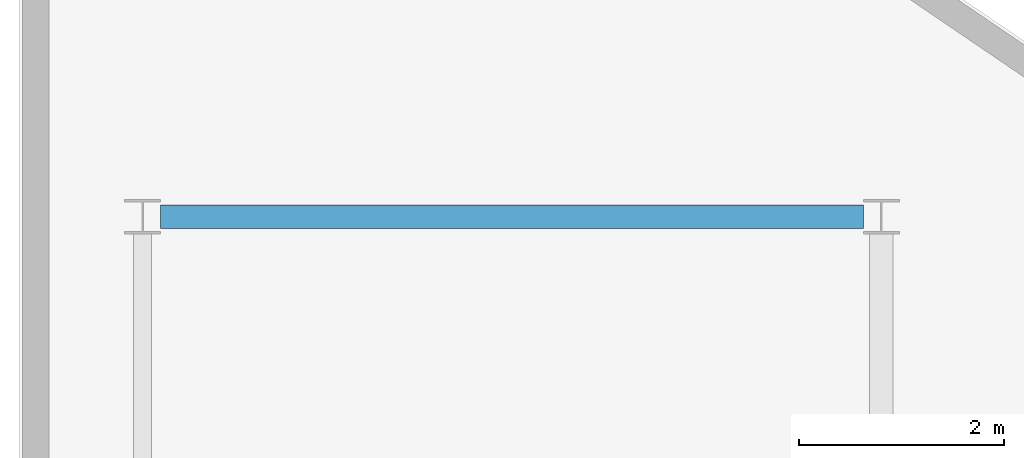
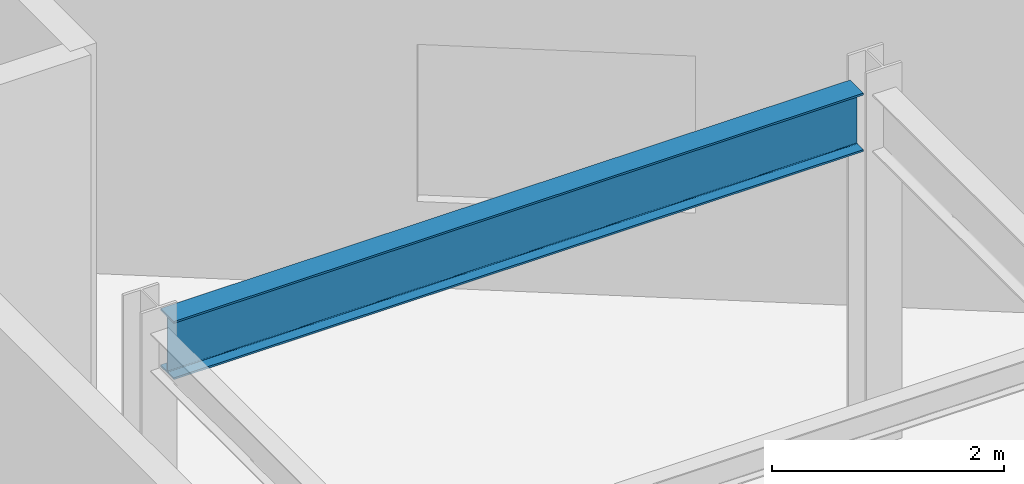
# One storey, part 10 of 20: 1 beam.
"""IFC4 building model written with IfcOpenShell, lengths in metres."""

import ifcopenshell
import ifcopenshell.guid

model = None  # the IFC model being written
_history = None  # IfcOwnerHistory: only IFC2X3 demands one
_inside = {}  # id of a spatial element -> (the spatial element, [elements in it])
_under = {}  # id of a project, library or spatial element -> (it, [spatial elements below it])
_declared = {}  # id of a project -> (the project, [libraries it declares])
_typed = {}  # id of a type object -> (the type object, [elements of that type])
_made_of = {}  # id of a material, layer set ... -> (it, [elements and type objects made of it])


def new_model(schema):
    """Start an empty IFC model of exactly this schema.

    Asked for "IFC4X3", IfcOpenShell would pick the latest addendum, in which some entities
    have other attributes; the version numbers below select the first issue.
    IFC2X3 requires an IfcOwnerHistory on every rooted entity: one is made here for all.
    """
    global model, _history
    if schema == "IFC4X3":
        model = ifcopenshell.file(schema_version=(4, 3, 0, 0))
    else:
        model = ifcopenshell.file(schema=schema)
    _inside.clear()
    _under.clear()
    _declared.clear()
    _typed.clear()
    _made_of.clear()
    _history = None
    if model.schema == "IFC2X3":
        org = make("IfcOrganization", Name="unknown")
        user = make(
            "IfcPersonAndOrganization",
            ThePerson=make("IfcPerson", FamilyName="unknown"),
            TheOrganization=org,
        )
        app = make(
            "IfcApplication",
            ApplicationDeveloper=org,
            Version="unknown",
            ApplicationFullName="unknown",
            ApplicationIdentifier="unknown",
        )
        _history = make(
            "IfcOwnerHistory",
            OwningUser=user,
            OwningApplication=app,
            ChangeAction="ADDED",
            CreationDate=0,
        )
    return model


def make(cls, **values):
    """One entity of the class cls with the attributes given. An attribute that is None is left unset."""
    return model.create_entity(
        cls, **{name: value for name, value in values.items() if value is not None}
    )


def rooted(cls, **values):
    """An entity with a GlobalId (a new one), such as an element, a storey or a relation."""
    return make(cls, GlobalId=ifcopenshell.guid.new(), OwnerHistory=_history, **values)


def si_unit(unit_type, name, prefix=None):
    """IfcSIUnit, for example si_unit("LENGTHUNIT", "METRE", prefix="MILLI")."""
    return make("IfcSIUnit", UnitType=unit_type, Prefix=prefix, Name=name)


def assignment(units):
    """IfcUnitAssignment: the units of a project."""
    return None if units is None else make("IfcUnitAssignment", Units=units)


def point(xyz):
    """IfcCartesianPoint."""
    return None if xyz is None else make("IfcCartesianPoint", Coordinates=xyz)


def direction(xyz):
    """IfcDirection."""
    return None if xyz is None else make("IfcDirection", DirectionRatios=xyz)


def frame(location, z_axis=None, x_axis=None):
    """IfcAxis2Placement3D, a coordinate frame: its origin and axes. An axis left out is left unset."""
    return make(
        "IfcAxis2Placement3D",
        Location=point(location),
        Axis=direction(z_axis),
        RefDirection=direction(x_axis),
    )


def frame_2d(location, x_axis=None):
    """IfcAxis2Placement2D, a coordinate frame in the plane: its origin and x axis."""
    return make(
        "IfcAxis2Placement2D", Location=point(location), RefDirection=direction(x_axis)
    )


def origin():
    """The frame at (0, 0, 0) with its axes left unset."""
    return frame((0.0, 0.0, 0.0))


def origin_2d():
    """The frame at (0, 0) in the plane with its x axis left unset."""
    return frame_2d((0.0, 0.0))


def place(relative_to, where):
    """IfcLocalPlacement: puts the frame where relative to a parent placement (None: the world)."""
    return make(
        "IfcLocalPlacement", PlacementRelTo=relative_to, RelativePlacement=where
    )


def context(
    kind, dimensions, precision=None, world=None, true_north=None, identifier=None
):
    """IfcGeometricRepresentationContext, for example the 3D "Model" context."""
    return make(
        "IfcGeometricRepresentationContext",
        ContextIdentifier=identifier,
        ContextType=kind,
        CoordinateSpaceDimension=dimensions,
        Precision=precision,
        WorldCoordinateSystem=world,
        TrueNorth=true_north,
    )


def subcontext(parent, identifier, kind, view, scale=None):
    """IfcGeometricRepresentationSubContext, for example "Body" below "Model"."""
    return make(
        "IfcGeometricRepresentationSubContext",
        ContextIdentifier=identifier,
        ContextType=kind,
        ParentContext=parent,
        TargetScale=scale,
        TargetView=view,
    )


def project(units=None, contexts=None):
    """IfcProject with its units and contexts."""
    return rooted(
        "IfcProject",
        Name="project",
        RepresentationContexts=contexts,
        UnitsInContext=assignment(units),
    )


def spatial(cls, under=None, at=None, **own):
    """A site, building, storey or space (cls), placed at a placement, below another one or the project."""
    s = rooted(cls, ObjectPlacement=at, **own)
    if under is not None:
        _under.setdefault(under.id(), (under, []))[1].append(s)
    return s


def profile(cls, at=None, kind="AREA", **sizes):
    """A parametric profile (cls). Its sizes go by their IFC names, for example OverallWidth=200.0."""
    return make(cls, ProfileType=kind, Position=at, **sizes)


def i_section(**sizes):
    """IfcIShapeProfileDef."""
    return profile("IfcIShapeProfileDef", **sizes)


def extrude(swept, where, along, depth):
    """IfcExtrudedAreaSolid: the profile swept, set in the frame where, extruded along a direction by depth."""
    return make(
        "IfcExtrudedAreaSolid",
        SweptArea=swept,
        Position=where,
        ExtrudedDirection=direction(along),
        Depth=depth,
    )


def shape(context_of_items, identifier, shape_type, items):
    """IfcShapeRepresentation: the items that make up one representation, for example the "Body"."""
    return make(
        "IfcShapeRepresentation",
        ContextOfItems=context_of_items,
        RepresentationIdentifier=identifier,
        RepresentationType=shape_type,
        Items=items,
    )


def material(Name=None, Category=None):
    """IfcMaterial."""
    return make("IfcMaterial", Name=Name, Category=Category)


def material_profile(
    of_material, cross_section, Name=None, Category=None, Priority=None
):
    """IfcMaterialProfile: a cross section and its material."""
    return make(
        "IfcMaterialProfile",
        Name=Name,
        Material=of_material,
        Profile=cross_section,
        Priority=Priority,
        Category=Category,
    )


def profile_set(profiles, Name=None, composite=None):
    """IfcMaterialProfileSet."""
    return make(
        "IfcMaterialProfileSet",
        Name=Name,
        MaterialProfiles=profiles,
        CompositeProfile=composite,
    )


def made_of(thing, what):
    """Note that an element or type object is made of a material, layer set ...; save() writes the relation."""
    if what is not None:
        _made_of.setdefault(what.id(), (what, []))[1].append(thing)
    return thing


def type_object(cls, material=None, **own):
    """A type object (cls), such as IfcWallType, which elements share."""
    return made_of(rooted(cls, **own), material)


def element(
    cls,
    number,
    at=None,
    inside=None,
    cuts=None,
    type_object=None,
    material=None,
    context=None,
    identifier="Body",
    shape_type=None,
    held_by="IfcProductDefinitionShape",
    body=None,
    shapes=None,
    **own,
):
    """One element of the class cls, such as IfcWall. Its Tag is "e" and its number.

    at: its placement. inside: the storey or other place that contains it. cuts: it is an
    opening in that element (IfcRelVoidsElement). A single representation is given by context,
    identifier, shape_type and body (its items); several are given by shapes. held_by: the class
    of the entity that holds the representations. save() writes the other relations.
    """
    e = rooted(cls, Tag="e%d" % number, ObjectPlacement=at, **own)
    if body is not None:
        shapes = [shape(context, identifier, shape_type, body)]
    if shapes is not None:
        e.Representation = make(held_by, Representations=shapes)
    if inside is not None:
        _inside.setdefault(inside.id(), (inside, []))[1].append(e)
    if cuts is not None:
        rooted(
            "IfcRelVoidsElement", RelatingBuildingElement=cuts, RelatedOpeningElement=e
        )
    if type_object is not None:
        _typed.setdefault(type_object.id(), (type_object, []))[1].append(e)
    return made_of(e, material)


def aggregate(whole, parts):
    """IfcRelAggregates: a whole, such as a stair, and the parts it consists of."""
    return rooted("IfcRelAggregates", RelatingObject=whole, RelatedObjects=parts)


def save(model, path):
    """Write the relations noted so far, then the file.

    IfcRelAggregates (storeys below a building ...), IfcRelContainedInSpatialStructure (elements
    in a storey), IfcRelDefinesByType, IfcRelAssociatesMaterial and IfcRelDeclares: one each for
    every whole, place, type object, material and project.
    """
    for whole, parts in _under.values():
        aggregate(whole, parts)
    for where, things in _inside.values():
        rooted(
            "IfcRelContainedInSpatialStructure",
            RelatedElements=things,
            RelatingStructure=where,
        )
    for kind, things in _typed.values():
        rooted("IfcRelDefinesByType", RelatedObjects=things, RelatingType=kind)
    for what, things in _made_of.values():
        rooted("IfcRelAssociatesMaterial", RelatedObjects=things, RelatingMaterial=what)
    for by, libraries in _declared.values():
        rooted("IfcRelDeclares", RelatingContext=by, RelatedDefinitions=libraries)
    model.write(path)


model = new_model("IFC4")

# Units and contexts
model_context = context("Model", 3, precision=1e-05, world=origin(), true_north=direction((0.0, 1.0)))
body_context = subcontext(model_context, "Body", "Model", "MODEL_VIEW")
ifc_project = project(units=[si_unit("LENGTHUNIT", "METRE"), si_unit("AREAUNIT", "SQUARE_METRE"), si_unit("VOLUMEUNIT", "CUBIC_METRE"), si_unit("PLANEANGLEUNIT", "RADIAN"), si_unit("MASSUNIT", "GRAM", prefix="KILO")], contexts=[model_context])

# Site, building, storey
site_placement = place(None, origin())
site = spatial("IfcSite", under=ifc_project, at=site_placement, CompositionType="ELEMENT")
building_placement = place(site_placement, origin())
building = spatial("IfcBuilding", under=site, at=building_placement, Name="Varnakote Quay Hospital", CompositionType="ELEMENT")
storey_placement = place(building_placement, frame((0.0, 0.0, 46.199951171875)))
storey = spatial("IfcBuildingStorey", under=building, at=storey_placement, Name="L11", CompositionType="ELEMENT", Elevation=46.199951171875)

# Beam
ifc_material = material(Name="Structural steel AS/NZS 3679.1 Grade 350 L0 (fy 340 MPa)", Category="steel")
ifc_material_profile = material_profile(ifc_material, i_section(OverallWidth=0.22900390625, OverallDepth=0.612060546875, WebThickness=0.011962890625, FlangeThickness=0.01953125, FilletRadius=0.013916015625, at=origin_2d()), Name="610UB125")
ifc_profile_set = profile_set([ifc_material_profile], Name="Structural steel AS/NZS 3679.1 Grade 350 L0 (fy 340 MPa)")
beam_type = type_object("IfcBeamType", Name="BM-STL-610UB125", PredefinedType="BEAM", material=ifc_profile_set)
beam_placement = place(storey_placement, frame((1.375, 37.199951171875, 3.404052734375), z_axis=(1.0, 0.0, 0.0), x_axis=(0.0, 1.0, 0.0)))
element("IfcBeam", 1, at=beam_placement, inside=storey, type_object=beam_type, Name="L11 Primary Floor Beam", PredefinedType="BEAM", context=body_context, shape_type="SweptSolid", body=[
    extrude(i_section(OverallWidth=0.22900390625, OverallDepth=0.612060546875, WebThickness=0.011962890625, FlangeThickness=0.01953125, FilletRadius=0.013916015625, at=origin_2d()), origin(), (0.0, 0.0, 1.0), 6.85009765625),
])

save(model, "model.ifc")
